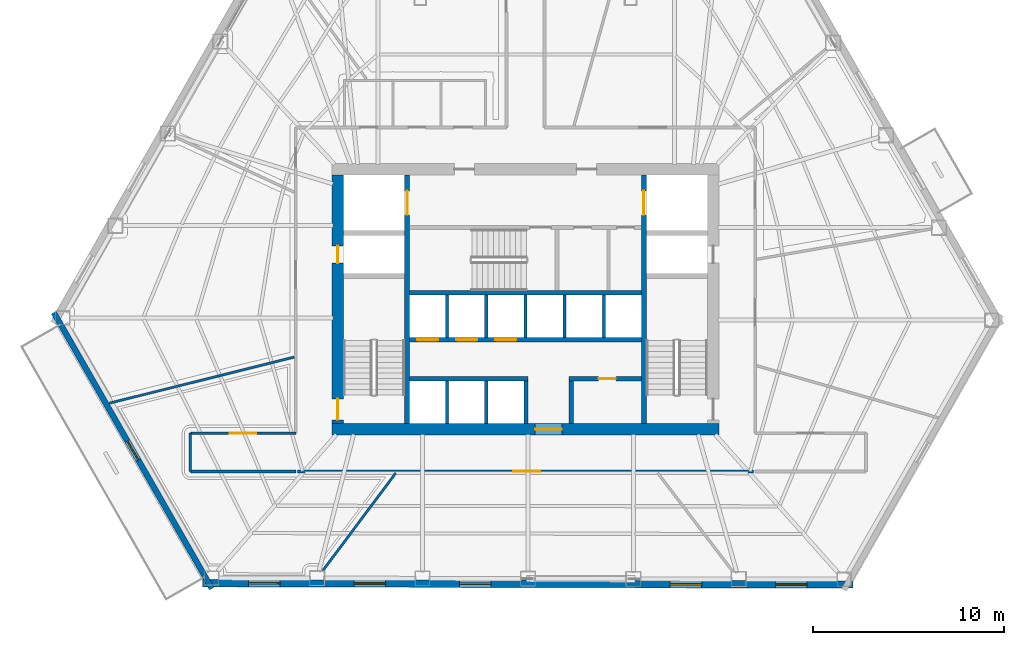
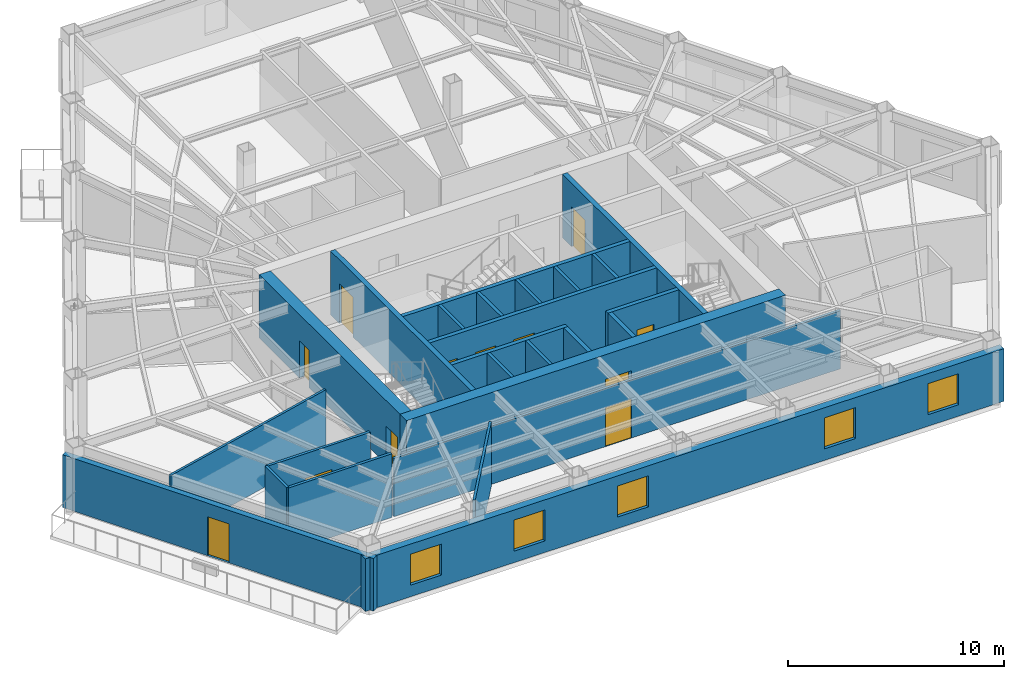
# One storey, part 8 of 14: 25 walls, 12 doors, 5 windows, 17 openings.
"""IFC4 building model written with IfcOpenShell, lengths in metres."""

from ifc_helpers import new_model, si_unit, direction, frame, frame_2d, origin, place, context, subcontext, project, spatial, rectangle, extrude, material, layer, layer_set, type_object, element, fill, save


model = new_model("IFC4")

# Units and contexts
model_context = context("Model", 3, precision=1e-05, world=origin(), true_north=direction((0.0, 1.0)))
body_context = subcontext(model_context, "Body", "Model", "MODEL_VIEW")
ifc_project = project(units=[si_unit("LENGTHUNIT", "METRE"), si_unit("AREAUNIT", "SQUARE_METRE"), si_unit("VOLUMEUNIT", "CUBIC_METRE"), si_unit("PLANEANGLEUNIT", "RADIAN"), si_unit("MASSUNIT", "GRAM", prefix="KILO")], contexts=[model_context])

# Site, building, storey
site_placement = place(None, origin())
site = spatial("IfcSite", under=ifc_project, at=site_placement, CompositionType="ELEMENT")
building_placement = place(site_placement, origin())
building = spatial("IfcBuilding", under=site, at=building_placement, Name="Kavelnor Concourse Tower", CompositionType="ELEMENT")
storey_placement = place(building_placement, frame((0.0, 0.0, 32.949951171875)))
storey = spatial("IfcBuildingStorey", under=building, at=storey_placement, Name="L08", CompositionType="ELEMENT", Elevation=32.949951171875)

# Wall, opening, door
ifc_material_1 = material(Name="Concrete C60/75", Category="concrete")
ifc_layer_1 = layer(ifc_material_1, 0.60009765625, Name="Concrete C60/75")
ifc_layer_set_1 = layer_set([ifc_layer_1], Name="Concrete C60/75")
wall_type_1 = type_object("IfcWallType", Name="WL-CORE-Z1-600", PredefinedType="SOLIDWALL", material=ifc_layer_set_1)
wall_1_placement = place(storey_placement, frame((27.8798828125, 9.300048828125, 0.0), z_axis=(0.0, 0.0, 1.0), x_axis=(1.0, 0.0, 0.0)))
wall_1 = element("IfcWall", 1, at=wall_1_placement, inside=storey, type_object=wall_type_1, Name="L08 Central Core South Shear Wall", PredefinedType="SOLIDWALL", context=body_context, shape_type="SweptSolid", body=[
    extrude(rectangle(XDim=20.240234375, YDim=0.60009765625, at=frame_2d((10.1201171875, 0.0))), origin(), (0.0, 0.0, 1.0), 3.590087890625),
])
opening_1_placement = place(wall_1_placement, frame((10.6201171875, 0.0, 0.0)))
opening_1 = element("IfcOpeningElement", 2, at=opening_1_placement, cuts=wall_1, Name="Opening SD-140", PredefinedType="OPENING", context=body_context, shape_type="SweptSolid", body=[
    extrude(rectangle(XDim=1.39990234375, YDim=2.199951171875, at=frame_2d((0.699951171875, 1.10009765625))), frame((0.0, 0.31005859375, 0.0), z_axis=(0.0, -1.0, 0.0), x_axis=(1.0, 0.0, 0.0)), (0.0, 0.0, 1.0), 0.6201171875),
])
ifc_material_2 = material(Name="Solid-core hardwood timber", Category="wood")
door_type_1 = type_object("IfcDoorType", Name="DR-SUITE-ENTRY-1400", OperationType="NOTDEFINED", PredefinedType="DOOR", material=ifc_material_2)
door_1_placement = place(opening_1_placement, origin())
door_1 = element("IfcDoor", 3, at=door_1_placement, inside=storey, type_object=door_type_1, Name="L08 Passenger Lift Lobby Entry Door", OperationType="SINGLE_SWING_LEFT", OverallHeight=2.199951171875, OverallWidth=1.39990234375, PredefinedType="DOOR", context=body_context, shape_type="SweptSolid", body=[
    extrude(rectangle(XDim=1.39990234375, YDim=2.199951171875, at=frame_2d((0.699951171875, 1.10009765625))), frame((0.0, 0.02490234375, 0.0), z_axis=(0.0, -1.0, 0.0), x_axis=(1.0, 0.0, 0.0)), (0.0, 0.0, 1.0), 0.050048828125),
])
fill(opening_1, door_1)

# Wall, openings, doors
wall_2_placement = place(storey_placement, frame((28.179931640625, 9.60009765625, 0.0), z_axis=(0.0, 0.0, 1.0), x_axis=(0.0, 1.0, 0.0)))
wall_2 = element("IfcWall", 4, at=wall_2_placement, inside=storey, type_object=wall_type_1, Name="L08 Central Core West Shear Wall", PredefinedType="SOLIDWALL", context=body_context, shape_type="SweptSolid", body=[
    extrude(rectangle(XDim=13.0, YDim=0.60009765625, at=frame_2d((6.5, 0.0))), origin(), (0.0, 0.0, 1.0), 3.590087890625),
])
opening_2_placement = place(wall_2_placement, frame((0.199951171875, 0.0, 0.0)))
opening_2 = element("IfcOpeningElement", 5, at=opening_2_placement, cuts=wall_2, Name="Opening FD-110", PredefinedType="OPENING", context=body_context, shape_type="SweptSolid", body=[
    extrude(rectangle(XDim=1.10009765625, YDim=2.14990234375, at=frame_2d((0.550048828125, 1.074951171875))), frame((0.0, 0.31005859375, 0.0), z_axis=(0.0, -1.0, 0.0), x_axis=(1.0, 0.0, 0.0)), (0.0, 0.0, 1.0), 0.6201171875),
])
opening_3_placement = place(wall_2_placement, frame((8.39990234375, 0.0, 0.0)))
opening_3 = element("IfcOpeningElement", 6, at=opening_3_placement, cuts=wall_2, Name="Opening FD-090", PredefinedType="OPENING", context=body_context, shape_type="SweptSolid", body=[
    extrude(rectangle(XDim=0.89990234375, YDim=2.10009765625, at=frame_2d((0.449951171875, 1.050048828125))), frame((0.0, 0.31005859375, 0.0), z_axis=(0.0, -1.0, 0.0), x_axis=(1.0, 0.0, 0.0)), (0.0, 0.0, 1.0), 0.6201171875),
])
ifc_material_3 = material(Name="Steel Grade 350", Category="steel")
door_type_2 = type_object("IfcDoorType", Name="DR-RISER-FIRE-900", OperationType="NOTDEFINED", PredefinedType="DOOR", material=ifc_material_3)
door_2_placement = place(opening_3_placement, origin())
door_2 = element("IfcDoor", 7, at=door_2_placement, inside=storey, type_object=door_type_2, Name="L08 West Riser Access Door", OperationType="SINGLE_SWING_RIGHT", OverallHeight=2.10009765625, OverallWidth=0.89990234375, PredefinedType="DOOR", context=body_context, shape_type="SweptSolid", body=[
    extrude(rectangle(XDim=0.89990234375, YDim=2.10009765625, at=frame_2d((0.449951171875, 1.050048828125))), frame((0.0, 0.02490234375, 0.0), z_axis=(0.0, -1.0, 0.0), x_axis=(1.0, 0.0, 0.0)), (0.0, 0.0, 1.0), 0.050048828125),
])
fill(opening_3, door_2)
door_type_3 = type_object("IfcDoorType", Name="DR-STAIR-FIRE-1100", OperationType="NOTDEFINED", PredefinedType="DOOR", material=ifc_material_3)
door_3_placement = place(opening_2_placement, origin())
door_3 = element("IfcDoor", 8, at=door_3_placement, inside=storey, type_object=door_type_3, Name="L08 Stair ST1 Fire Door", OperationType="SINGLE_SWING_LEFT", OverallHeight=2.14990234375, OverallWidth=1.10009765625, PredefinedType="DOOR", context=body_context, shape_type="SweptSolid", body=[
    extrude(rectangle(XDim=1.10009765625, YDim=2.14990234375, at=frame_2d((0.550048828125, 1.074951171875))), frame((0.0, 0.02490234375, 0.0), z_axis=(0.0, -1.0, 0.0), x_axis=(1.0, 0.0, 0.0)), (0.0, 0.0, 1.0), 0.050048828125),
])
fill(opening_2, door_3)

# Wall, opening, door
ifc_material_4 = material(Name="Buff ironspot clay face brick masonry", Category="masonry")
ifc_layer_2 = layer(ifc_material_4, 0.300048828125, Name="Buff ironspot clay face brick masonry")
ifc_layer_set_2 = layer_set([ifc_layer_2], Name="Buff ironspot clay face brick masonry")
wall_type_2 = type_object("IfcWallType", Name="WL-EXT-BUFF-BRICK-FOLD-300", PredefinedType="STANDARD", material=ifc_layer_set_2)
wall_3_placement = place(storey_placement, frame((21.587158203125, 0.974853515625, 0.0), z_axis=(0.0, 0.0, 1.0), x_axis=(-0.496963642145, 0.867771362967, 0.0)))
wall_3 = element("IfcWall", 9, at=wall_3_placement, inside=storey, type_object=wall_type_2, Name="L08 Exterior Brick Facade Wall E2", PredefinedType="STANDARD", context=body_context, shape_type="SweptSolid", body=[
    extrude(rectangle(XDim=16.63720703125, YDim=0.300048828125, at=frame_2d((8.318603515625, 0.0))), origin(), (0.0, 0.0, 1.0), 2.969970703125),
])
opening_4_placement = place(wall_3_placement, frame((7.743408203125, 0.0, 0.0)))
opening_4 = element("IfcOpeningElement", 10, at=opening_4_placement, cuts=wall_3, Name="Opening TD-115", PredefinedType="OPENING", context=body_context, shape_type="SweptSolid", body=[
    extrude(rectangle(XDim=1.14990234375, YDim=2.199951171875, at=frame_2d((0.574951171875, 1.10009765625))), frame((0.0, 0.16015625, 0.0), z_axis=(0.0, -1.0, 0.0), x_axis=(1.0, 0.0, 0.0)), (0.0, 0.0, 1.0), 0.320068359375),
])
ifc_material_5 = material(Name="Anodised aluminium 6063-T6", Category="aluminium")
door_type_4 = type_object("IfcDoorType", Name="DR-TERRACE-EXT-1150", OperationType="NOTDEFINED", PredefinedType="DOOR", material=ifc_material_5)
door_4_placement = place(opening_4_placement, origin())
door_4 = element("IfcDoor", 11, at=door_4_placement, inside=storey, type_object=door_type_4, Name="L08 Spiral Sky Terrace Access Door", OperationType="SINGLE_SWING_LEFT", OverallHeight=2.199951171875, OverallWidth=1.14990234375, PredefinedType="DOOR", context=body_context, shape_type="SweptSolid", body=[
    extrude(rectangle(XDim=1.14990234375, YDim=2.199951171875, at=frame_2d((0.574951171875, 1.10009765625))), frame((0.0, 0.02490234375, 0.0), z_axis=(0.0, -1.0, 0.0), x_axis=(1.0, 0.0, 0.0)), (0.0, 0.0, 1.0), 0.050048828125),
])
fill(opening_4, door_4)

# Wall, openings, windows
ifc_material_6 = material(Name="Red-ochre clay face brick masonry", Category="masonry")
ifc_layer_3 = layer(ifc_material_6, 0.3798828125, Name="Red-ochre clay face brick masonry")
ifc_layer_set_3 = layer_set([ifc_layer_3], Name="Red-ochre clay face brick masonry")
wall_type_3 = type_object("IfcWallType", Name="WL-EXT-RED-BRICK-PIER-380", PredefinedType="STANDARD", material=ifc_layer_set_3)
wall_4_placement = place(storey_placement, frame((55.148681640625, 1.1787109375, 0.0), z_axis=(0.0, 0.0, 1.0), x_axis=(-0.999997528713, 0.002223188878, 0.0)))
wall_4 = element("IfcWall", 12, at=wall_4_placement, inside=storey, type_object=wall_type_3, Name="L08 Exterior Brick Facade Wall E3", PredefinedType="STANDARD", context=body_context, shape_type="SweptSolid", body=[
    extrude(rectangle(XDim=34.042724609375, YDim=0.3798828125, at=frame_2d((17.021484375, 0.0))), origin(), (0.0, 0.0, 1.0), 2.969970703125),
])
opening_5_placement = place(wall_4_placement, frame((29.983154296875, 0.0, 0.64990234375)))
opening_5 = element("IfcOpeningElement", 13, at=opening_5_placement, cuts=wall_4, Name="Opening W-01", PredefinedType="OPENING", context=body_context, shape_type="SweptSolid", body=[
    extrude(rectangle(XDim=1.64990234375, YDim=1.75, at=frame_2d((0.824951171875, 0.875))), frame((0.0, 0.199951171875, 0.0), z_axis=(0.0, -1.0, 0.0), x_axis=(1.0, 0.0, 0.0)), (0.0, 0.0, 1.0), 0.39990234375),
])
opening_6_placement = place(wall_4_placement, frame((24.468994140625, 0.0, 0.64990234375)))
opening_6 = element("IfcOpeningElement", 14, at=opening_6_placement, cuts=wall_4, Name="Opening W-01", PredefinedType="OPENING", context=body_context, shape_type="SweptSolid", body=[
    extrude(rectangle(XDim=1.64990234375, YDim=1.75, at=frame_2d((0.824951171875, 0.875))), frame((0.0, 0.199951171875, 0.0), z_axis=(0.0, -1.0, 0.0), x_axis=(1.0, 0.0, 0.0)), (0.0, 0.0, 1.0), 0.39990234375),
])
opening_7_placement = place(wall_4_placement, frame((18.95458984375, 0.0, 0.64990234375)))
opening_7 = element("IfcOpeningElement", 15, at=opening_7_placement, cuts=wall_4, Name="Opening W-01", PredefinedType="OPENING", context=body_context, shape_type="SweptSolid", body=[
    extrude(rectangle(XDim=1.64990234375, YDim=1.75, at=frame_2d((0.824951171875, 0.875))), frame((0.0, 0.199951171875, 0.0), z_axis=(0.0, -1.0, 0.0), x_axis=(1.0, 0.0, 0.0)), (0.0, 0.0, 1.0), 0.39990234375),
])
opening_8_placement = place(wall_4_placement, frame((7.926025390625, 0.0, 0.64990234375)))
opening_8 = element("IfcOpeningElement", 16, at=opening_8_placement, cuts=wall_4, Name="Opening W-01", PredefinedType="OPENING", context=body_context, shape_type="SweptSolid", body=[
    extrude(rectangle(XDim=1.64990234375, YDim=1.75, at=frame_2d((0.824951171875, 0.875))), frame((0.0, 0.199951171875, 0.0), z_axis=(0.0, -1.0, 0.0), x_axis=(1.0, 0.0, 0.0)), (0.0, 0.0, 1.0), 0.39990234375),
])
opening_9_placement = place(wall_4_placement, frame((2.411865234375, 0.0, 0.64990234375)))
opening_9 = element("IfcOpeningElement", 17, at=opening_9_placement, cuts=wall_4, Name="Opening W-01", PredefinedType="OPENING", context=body_context, shape_type="SweptSolid", body=[
    extrude(rectangle(XDim=1.64990234375, YDim=1.75, at=frame_2d((0.824951171875, 0.875))), frame((0.0, 0.199951171875, 0.0), z_axis=(0.0, -1.0, 0.0), x_axis=(1.0, 0.0, 0.0)), (0.0, 0.0, 1.0), 0.39990234375),
])
ifc_material_7 = material(Name="Double low-E argon insulated glazing", Category="glass")
window_type = type_object("IfcWindowType", Name="WIN-PIER-Z1-1800", PartitioningType="SINGLE_PANEL", PredefinedType="WINDOW", material=ifc_material_7)
window_1_placement = place(opening_5_placement, origin())
window_1 = element("IfcWindow", 18, at=window_1_placement, inside=storey, type_object=window_type, Name="L08 Deep-Set Brick Pier Window F1-B0", OverallHeight=1.75, OverallWidth=1.64990234375, PartitioningType="SINGLE_PANEL", PredefinedType="WINDOW", context=body_context, shape_type="SweptSolid", body=[
    extrude(rectangle(XDim=1.64990234375, YDim=1.75, at=frame_2d((0.824951171875, 0.875))), frame((0.0, 0.030029296875, 0.0), z_axis=(0.0, -1.0, 0.0), x_axis=(1.0, 0.0, 0.0)), (0.0, 0.0, 1.0), 0.06005859375),
])
fill(opening_5, window_1)
window_2_placement = place(opening_6_placement, origin())
window_2 = element("IfcWindow", 19, at=window_2_placement, inside=storey, type_object=window_type, Name="L08 Deep-Set Brick Pier Window F1-B1", OverallHeight=1.75, OverallWidth=1.64990234375, PartitioningType="SINGLE_PANEL", PredefinedType="WINDOW", context=body_context, shape_type="SweptSolid", body=[
    extrude(rectangle(XDim=1.64990234375, YDim=1.75, at=frame_2d((0.824951171875, 0.875))), frame((0.0, 0.030029296875, 0.0), z_axis=(0.0, -1.0, 0.0), x_axis=(1.0, 0.0, 0.0)), (0.0, 0.0, 1.0), 0.06005859375),
])
fill(opening_6, window_2)
window_3_placement = place(opening_7_placement, origin())
window_3 = element("IfcWindow", 20, at=window_3_placement, inside=storey, type_object=window_type, Name="L08 Deep-Set Brick Pier Window F1-B2", OverallHeight=1.75, OverallWidth=1.64990234375, PartitioningType="SINGLE_PANEL", PredefinedType="WINDOW", context=body_context, shape_type="SweptSolid", body=[
    extrude(rectangle(XDim=1.64990234375, YDim=1.75, at=frame_2d((0.824951171875, 0.875))), frame((0.0, 0.030029296875, 0.0), z_axis=(0.0, -1.0, 0.0), x_axis=(1.0, 0.0, 0.0)), (0.0, 0.0, 1.0), 0.06005859375),
])
fill(opening_7, window_3)
window_4_placement = place(opening_8_placement, origin())
window_4 = element("IfcWindow", 21, at=window_4_placement, inside=storey, type_object=window_type, Name="L08 Deep-Set Brick Pier Window F1-B4", OverallHeight=1.75, OverallWidth=1.64990234375, PartitioningType="SINGLE_PANEL", PredefinedType="WINDOW", context=body_context, shape_type="SweptSolid", body=[
    extrude(rectangle(XDim=1.64990234375, YDim=1.75, at=frame_2d((0.824951171875, 0.875))), frame((0.0, 0.030029296875, 0.0), z_axis=(0.0, -1.0, 0.0), x_axis=(1.0, 0.0, 0.0)), (0.0, 0.0, 1.0), 0.06005859375),
])
fill(opening_8, window_4)
window_5_placement = place(opening_9_placement, origin())
window_5 = element("IfcWindow", 22, at=window_5_placement, inside=storey, type_object=window_type, Name="L08 Deep-Set Brick Pier Window F1-B5", OverallHeight=1.75, OverallWidth=1.64990234375, PartitioningType="SINGLE_PANEL", PredefinedType="WINDOW", context=body_context, shape_type="SweptSolid", body=[
    extrude(rectangle(XDim=1.64990234375, YDim=1.75, at=frame_2d((0.824951171875, 0.875))), frame((0.0, 0.030029296875, 0.0), z_axis=(0.0, -1.0, 0.0), x_axis=(1.0, 0.0, 0.0)), (0.0, 0.0, 1.0), 0.06005859375),
])
fill(opening_9, window_5)

# Wall, opening, door
ifc_material_8 = material(Name="Gypsum plasterboard on light-gauge steel studs", Category="steel")
ifc_layer_4 = layer(ifc_material_8, 0.14501953125, Name="Gypsum plasterboard on light-gauge steel studs")
ifc_layer_set_4 = layer_set([ifc_layer_4], Name="Gypsum plasterboard on light-gauge steel studs")
wall_type_4 = type_object("IfcWallType", Name="WL-INT-CORR-145", PredefinedType="PARTITIONING", material=ifc_layer_set_4)
wall_5_placement = place(storey_placement, frame((20.460205078125, 9.10009765625, 0.0), z_axis=(0.0, 0.0, 1.0), x_axis=(1.0, 0.0, 0.0)))
wall_5 = element("IfcWall", 23, at=wall_5_placement, inside=storey, type_object=wall_type_4, Name="L08 Corridor Wall WL-L08-CR-01", PredefinedType="PARTITIONING", context=body_context, shape_type="SweptSolid", body=[
    extrude(rectangle(XDim=5.519775390625, YDim=0.14501953125, at=frame_2d((2.759765625, 0.0))), origin(), (0.0, 0.0, 1.0), 3.590087890625),
])
opening_10_placement = place(wall_5_placement, frame((2.059814453125, 0.0, 0.0)))
opening_10 = element("IfcOpeningElement", 24, at=opening_10_placement, cuts=wall_5, Name="Opening SD-140", PredefinedType="OPENING", context=body_context, shape_type="SweptSolid", body=[
    extrude(rectangle(XDim=1.39990234375, YDim=2.199951171875, at=frame_2d((0.699951171875, 1.10009765625))), frame((0.0, 0.08251953125, 0.0), z_axis=(0.0, -1.0, 0.0), x_axis=(1.0, 0.0, 0.0)), (0.0, 0.0, 1.0), 0.1650390625),
])
door_5_placement = place(opening_10_placement, origin())
door_5 = element("IfcDoor", 25, at=door_5_placement, inside=storey, type_object=door_type_1, Name="L08 Technical Reference Library 06 Door", OperationType="SINGLE_SWING_LEFT", OverallHeight=2.199951171875, OverallWidth=1.39990234375, PredefinedType="DOOR", context=body_context, shape_type="SweptSolid", body=[
    extrude(rectangle(XDim=1.39990234375, YDim=2.199951171875, at=frame_2d((0.699951171875, 1.10009765625))), frame((0.0, 0.02490234375, 0.0), z_axis=(0.0, -1.0, 0.0), x_axis=(1.0, 0.0, 0.0)), (0.0, 0.0, 1.0), 0.050048828125),
])
fill(opening_10, door_5)

wall_6_placement = place(storey_placement, frame((49.919921875, 7.10009765625, 0.0), z_axis=(0.0, 0.0, 1.0), x_axis=(-1.0, 0.0, 0.0)))
wall_6 = element("IfcWall", 26, at=wall_6_placement, inside=storey, type_object=wall_type_4, Name="L08 Corridor Wall WL-L08-CR-12", PredefinedType="PARTITIONING", context=body_context, shape_type="SweptSolid", body=[
    extrude(rectangle(XDim=23.83984375, YDim=0.14501953125, at=frame_2d((11.919921875, 0.0))), origin(), (0.0, 0.0, 1.0), 3.278076171875),
])
opening_11_placement = place(wall_6_placement, frame((11.15380859375, 0.0, 0.0)))
opening_11 = element("IfcOpeningElement", 27, at=opening_11_placement, cuts=wall_6, Name="Opening SD-140", PredefinedType="OPENING", context=body_context, shape_type="SweptSolid", body=[
    extrude(rectangle(XDim=1.39990234375, YDim=2.199951171875, at=frame_2d((0.699951171875, 1.10009765625))), frame((0.0, 0.08251953125, 0.0), z_axis=(0.0, -1.0, 0.0), x_axis=(1.0, 0.0, 0.0)), (0.0, 0.0, 1.0), 0.1650390625),
])
door_6_placement = place(opening_11_placement, origin())
door_6 = element("IfcDoor", 28, at=door_6_placement, inside=storey, type_object=door_type_1, Name="L08 Workplace Open Office 07 Door", OperationType="SINGLE_SWING_RIGHT", OverallHeight=2.199951171875, OverallWidth=1.39990234375, PredefinedType="DOOR", context=body_context, shape_type="SweptSolid", body=[
    extrude(rectangle(XDim=1.39990234375, YDim=2.199951171875, at=frame_2d((0.699951171875, 1.10009765625))), frame((0.0, 0.02490234375, 0.0), z_axis=(0.0, -1.0, 0.0), x_axis=(1.0, 0.0, 0.0)), (0.0, 0.0, 1.0), 0.050048828125),
])
fill(opening_11, door_6)

# Walls
wall_7_placement = place(storey_placement, frame((25.97998046875, 7.10009765625, 0.0), z_axis=(0.0, 0.0, 1.0), x_axis=(-1.0, 0.0, 0.0)))
element("IfcWall", 29, at=wall_7_placement, inside=storey, type_object=wall_type_4, Name="L08 Corridor Wall WL-L08-CR-13", PredefinedType="PARTITIONING", context=body_context, shape_type="SweptSolid", body=[
    extrude(rectangle(XDim=5.519775390625, YDim=0.14501953125, at=frame_2d((2.759765625, 0.0))), origin(), (0.0, 0.0, 1.0), 3.590087890625),
])
wall_8_placement = place(storey_placement, frame((20.460205078125, 7.10009765625, 0.0), z_axis=(0.0, 0.0, 1.0), x_axis=(0.0, 1.0, 0.0)))
element("IfcWall", 30, at=wall_8_placement, inside=storey, type_object=wall_type_4, Name="L08 Corridor Wall WL-L08-CR-14", PredefinedType="PARTITIONING", context=body_context, shape_type="SweptSolid", body=[
    extrude(rectangle(XDim=2.0, YDim=0.14501953125, at=frame_2d((1.0, 0.0))), origin(), (0.0, 0.0, 1.0), 3.590087890625),
])
ifc_layer_5 = layer(ifc_material_8, 0.1650390625, Name="Gypsum plasterboard on light-gauge steel studs")
ifc_layer_set_5 = layer_set([ifc_layer_5], Name="Gypsum plasterboard on light-gauge steel studs")
wall_type_5 = type_object("IfcWallType", Name="WL-INT-FIRE-165", PredefinedType="PARTITIONING", material=ifc_layer_set_5)
for number, where, z_axis, x_axis, name in (
    (31, (33.89990234375, 9.60009765625, 0.0), (0.0, 0.0, 1.0), (0.0, 1.0, 0.0), "L08 Lift Shaft Divider LP7"),
    (32, (35.949951171875, 9.60009765625, 0.0), (0.0, 0.0, 1.0), (0.0, 1.0, 0.0), "L08 Lift Shaft Divider LP8"),
    (33, (33.89990234375, 14.10009765625, 0.0), (0.0, 0.0, 1.0), (0.0, 1.0, 0.0), "L08 Lift Shaft Divider LP1"),
    (34, (35.949951171875, 14.10009765625, 0.0), (0.0, 0.0, 1.0), (0.0, 1.0, 0.0), "L08 Lift Shaft Divider LP2"),
    (35, (38.0, 14.10009765625, 0.0), (0.0, 0.0, 1.0), (0.0, 1.0, 0.0), "L08 Lift Shaft Divider LP3"),
    (36, (40.050048828125, 14.10009765625, 0.0), (0.0, 0.0, 1.0), (0.0, 1.0, 0.0), "L08 Lift Shaft Divider LP4"),
    (37, (42.10009765625, 14.10009765625, 0.0), (0.0, 0.0, 1.0), (0.0, 1.0, 0.0), "L08 Lift Shaft Divider LP5"),
):
    element("IfcWall", number, at=place(storey_placement, frame(where, z_axis=z_axis, x_axis=x_axis)), inside=storey, type_object=wall_type_5, Name=name, PredefinedType="PARTITIONING", context=body_context, shape_type="SweptSolid", body=[
        extrude(rectangle(XDim=2.239990234375, YDim=0.1650390625, at=frame_2d((1.1201171875, 0.0))), origin(), (0.0, 0.0, 1.0), 3.590087890625),
    ])
ifc_layer_6 = layer(ifc_material_8, 0.125, Name="Gypsum plasterboard on light-gauge steel studs")
ifc_layer_set_6 = layer_set([ifc_layer_6], Name="Gypsum plasterboard on light-gauge steel studs")
wall_type_6 = type_object("IfcWallType", Name="WL-INT-SUITE-125", PredefinedType="PARTITIONING", material=ifc_layer_set_6)
wall_9_placement = place(storey_placement, frame((25.8994140625, 13.0830078125, 0.0), z_axis=(0.0, 0.0, 1.0), x_axis=(-0.970296575764, -0.241918488463, 0.0)))
element("IfcWall", 38, at=wall_9_placement, inside=storey, type_object=wall_type_6, Name="L08 Radial Suite Partition 06", PredefinedType="PARTITIONING", context=body_context, shape_type="SweptSolid", body=[
    extrude(rectangle(XDim=9.960693359375, YDim=0.125, at=frame_2d((4.98046875, 0.0))), origin(), (0.0, 0.0, 1.0), 3.590087890625),
])
wall_10_placement = place(storey_placement, frame((31.214599609375, 7.01953125, 0.0), z_axis=(0.0, 0.0, 1.0), x_axis=(-0.598618740795, -0.80103408365, 0.0)))
element("IfcWall", 39, at=wall_10_placement, inside=storey, type_object=wall_type_6, Name="L08 Radial Suite Partition 07", PredefinedType="PARTITIONING", context=body_context, shape_type="SweptSolid", body=[
    extrude(rectangle(XDim=6.3671875, YDim=0.125, at=frame_2d((3.18359375, 0.0))), origin(), (0.0, 0.0, 1.0), 3.590087890625),
])
ifc_material_9 = material(Name="Concrete C50/60", Category="concrete")
ifc_layer_7 = layer(ifc_material_9, 0.219970703125, Name="Concrete C50/60")
ifc_layer_set_7 = layer_set([ifc_layer_7], Name="Concrete C50/60")
wall_type_7 = type_object("IfcWallType", Name="WL-SHAFT-220", PredefinedType="SOLIDWALL", material=ifc_layer_set_7)
wall_11_placement = place(storey_placement, frame((31.93994140625, 16.449951171875, 0.0), z_axis=(0.0, 0.0, 1.0), x_axis=(1.0, 0.0, 0.0)))
element("IfcWall", 40, at=wall_11_placement, inside=storey, type_object=wall_type_7, Name="L08 Stair ST3 South Core Wall", PredefinedType="SOLIDWALL", context=body_context, shape_type="SweptSolid", body=[
    extrude(rectangle(XDim=12.1201171875, YDim=0.219970703125, at=frame_2d((6.06005859375, 0.0))), origin(), (0.0, 0.0, 1.0), 3.590087890625),
])

# Wall, openings, doors
wall_12_placement = place(storey_placement, frame((31.93994140625, 13.989990234375, 0.0), z_axis=(0.0, 0.0, 1.0), x_axis=(1.0, 0.0, 0.0)))
wall_12 = element("IfcWall", 41, at=wall_12_placement, inside=storey, type_object=wall_type_7, Name="L08 North Lift Row Shaft Wall", PredefinedType="SOLIDWALL", context=body_context, shape_type="SweptSolid", body=[
    extrude(rectangle(XDim=12.1201171875, YDim=0.219970703125, at=frame_2d((6.06005859375, 0.0))), origin(), (0.0, 0.0, 1.0), 3.590087890625),
])
opening_12_placement = place(wall_12_placement, frame((0.385009765625, 0.0, 0.0)))
opening_12 = element("IfcOpeningElement", 42, at=opening_12_placement, cuts=wall_12, Name="Opening LD-110", PredefinedType="OPENING", context=body_context, shape_type="SweptSolid", body=[
    extrude(rectangle(XDim=1.10009765625, YDim=2.199951171875, at=frame_2d((0.550048828125, 1.10009765625))), frame((0.0, 0.1201171875, 0.0), z_axis=(0.0, -1.0, 0.0), x_axis=(1.0, 0.0, 0.0)), (0.0, 0.0, 1.0), 0.239990234375),
])
opening_13_placement = place(wall_12_placement, frame((2.43505859375, 0.0, 0.0)))
opening_13 = element("IfcOpeningElement", 43, at=opening_13_placement, cuts=wall_12, Name="Opening LD-110", PredefinedType="OPENING", context=body_context, shape_type="SweptSolid", body=[
    extrude(rectangle(XDim=1.10009765625, YDim=2.199951171875, at=frame_2d((0.550048828125, 1.10009765625))), frame((0.0, 0.1201171875, 0.0), z_axis=(0.0, -1.0, 0.0), x_axis=(1.0, 0.0, 0.0)), (0.0, 0.0, 1.0), 0.239990234375),
])
opening_14_placement = place(wall_12_placement, frame((4.485107421875, 0.0, 0.0)))
opening_14 = element("IfcOpeningElement", 44, at=opening_14_placement, cuts=wall_12, Name="Opening LD-110", PredefinedType="OPENING", context=body_context, shape_type="SweptSolid", body=[
    extrude(rectangle(XDim=1.10009765625, YDim=2.199951171875, at=frame_2d((0.550048828125, 1.10009765625))), frame((0.0, 0.1201171875, 0.0), z_axis=(0.0, -1.0, 0.0), x_axis=(1.0, 0.0, 0.0)), (0.0, 0.0, 1.0), 0.239990234375),
])
door_type_5 = type_object("IfcDoorType", Name="DR-LIFT-SLIDING-1100", OperationType="NOTDEFINED", PredefinedType="DOOR", material=ifc_material_3)
door_7_placement = place(opening_12_placement, origin())
door_7 = element("IfcDoor", 45, at=door_7_placement, inside=storey, type_object=door_type_5, Name="L08 Lift LP1 Landing Door", OperationType="DOUBLE_DOOR_SLIDING", OverallHeight=2.199951171875, OverallWidth=1.10009765625, PredefinedType="DOOR", context=body_context, shape_type="SweptSolid", body=[
    extrude(rectangle(XDim=1.10009765625, YDim=2.199951171875, at=frame_2d((0.550048828125, 1.10009765625))), frame((0.0, 0.02490234375, 0.0), z_axis=(0.0, -1.0, 0.0), x_axis=(1.0, 0.0, 0.0)), (0.0, 0.0, 1.0), 0.050048828125),
])
fill(opening_12, door_7)
door_8_placement = place(opening_13_placement, origin())
door_8 = element("IfcDoor", 46, at=door_8_placement, inside=storey, type_object=door_type_5, Name="L08 Lift LP2 Landing Door", OperationType="DOUBLE_DOOR_SLIDING", OverallHeight=2.199951171875, OverallWidth=1.10009765625, PredefinedType="DOOR", context=body_context, shape_type="SweptSolid", body=[
    extrude(rectangle(XDim=1.10009765625, YDim=2.199951171875, at=frame_2d((0.550048828125, 1.10009765625))), frame((0.0, 0.02490234375, 0.0), z_axis=(0.0, -1.0, 0.0), x_axis=(1.0, 0.0, 0.0)), (0.0, 0.0, 1.0), 0.050048828125),
])
fill(opening_13, door_8)
door_9_placement = place(opening_14_placement, origin())
door_9 = element("IfcDoor", 47, at=door_9_placement, inside=storey, type_object=door_type_5, Name="L08 Lift LP3 Landing Door", OperationType="DOUBLE_DOOR_SLIDING", OverallHeight=2.199951171875, OverallWidth=1.10009765625, PredefinedType="DOOR", context=body_context, shape_type="SweptSolid", body=[
    extrude(rectangle(XDim=1.10009765625, YDim=2.199951171875, at=frame_2d((0.550048828125, 1.10009765625))), frame((0.0, 0.02490234375, 0.0), z_axis=(0.0, -1.0, 0.0), x_axis=(1.0, 0.0, 0.0)), (0.0, 0.0, 1.0), 0.050048828125),
])
fill(opening_14, door_9)

# Wall
wall_13_placement = place(storey_placement, frame((31.93994140625, 11.949951171875, 0.0), z_axis=(0.0, 0.0, 1.0), x_axis=(1.0, 0.0, 0.0)))
element("IfcWall", 48, at=wall_13_placement, inside=storey, type_object=wall_type_7, Name="L08 High-Rise Lift Bank North Wall", PredefinedType="SOLIDWALL", context=body_context, shape_type="SweptSolid", body=[
    extrude(rectangle(XDim=6.18994140625, YDim=0.219970703125, at=frame_2d((3.094970703125, 0.0))), origin(), (0.0, 0.0, 1.0), 3.590087890625),
])

# Wall, opening, door
wall_14_placement = place(storey_placement, frame((40.280029296875, 11.949951171875, 0.0), z_axis=(0.0, 0.0, 1.0), x_axis=(1.0, 0.0, 0.0)))
wall_14 = element("IfcWall", 49, at=wall_14_placement, inside=storey, type_object=wall_type_7, Name="L08 Core South Support North Wall", PredefinedType="SOLIDWALL", context=body_context, shape_type="SweptSolid", body=[
    extrude(rectangle(XDim=3.780029296875, YDim=0.219970703125, at=frame_2d((1.89013671875, 0.0))), origin(), (0.0, 0.0, 1.0), 3.590087890625),
])
opening_15_placement = place(wall_14_placement, frame((1.550048828125, 0.0, 0.0)))
opening_15 = element("IfcOpeningElement", 50, at=opening_15_placement, cuts=wall_14, Name="Opening FD-090", PredefinedType="OPENING", context=body_context, shape_type="SweptSolid", body=[
    extrude(rectangle(XDim=0.89990234375, YDim=2.10009765625, at=frame_2d((0.449951171875, 1.050048828125))), frame((0.0, 0.1201171875, 0.0), z_axis=(0.0, -1.0, 0.0), x_axis=(1.0, 0.0, 0.0)), (0.0, 0.0, 1.0), 0.239990234375),
])
door_10_placement = place(opening_15_placement, origin())
door_10 = element("IfcDoor", 51, at=door_10_placement, inside=storey, type_object=door_type_2, Name="L08 Core Utility Store Door", OperationType="SINGLE_SWING_LEFT", OverallHeight=2.10009765625, OverallWidth=0.89990234375, PredefinedType="DOOR", context=body_context, shape_type="SweptSolid", body=[
    extrude(rectangle(XDim=0.89990234375, YDim=2.10009765625, at=frame_2d((0.449951171875, 1.050048828125))), frame((0.0, 0.02490234375, 0.0), z_axis=(0.0, -1.0, 0.0), x_axis=(1.0, 0.0, 0.0)), (0.0, 0.0, 1.0), 0.050048828125),
])
fill(opening_15, door_10)

# Walls
for number, where, z_axis, x_axis, name in (
    (52, (38.02001953125, 9.60009765625, 0.0), (0.0, 0.0, 1.0), (0.0, 1.0, 0.0), "L08 Lift Lobby Throat West Wall"),
    (53, (40.389892578125, 9.60009765625, 0.0), (0.0, 0.0, 1.0), (0.0, 1.0, 0.0), "L08 Lift Lobby Throat East Wall"),
):
    element("IfcWall", number, at=place(storey_placement, frame(where, z_axis=z_axis, x_axis=x_axis)), inside=storey, type_object=wall_type_7, Name=name, PredefinedType="SOLIDWALL", context=body_context, shape_type="SweptSolid", body=[
        extrude(rectangle(XDim=2.239990234375, YDim=0.219970703125, at=frame_2d((1.1201171875, 0.0))), origin(), (0.0, 0.0, 1.0), 3.590087890625),
    ])

# Wall, opening, door
ifc_layer_8 = layer(ifc_material_9, 0.260009765625, Name="Concrete C50/60")
ifc_layer_set_8 = layer_set([ifc_layer_8], Name="Concrete C50/60")
wall_type_8 = type_object("IfcWallType", Name="WL-SHAFT-260", PredefinedType="SHEAR", material=ifc_layer_set_8)
wall_15_placement = place(storey_placement, frame((31.81005859375, 9.60009765625, 0.0), z_axis=(0.0, 0.0, 1.0), x_axis=(0.0, 1.0, 0.0)))
wall_15 = element("IfcWall", 54, at=wall_15_placement, inside=storey, type_object=wall_type_8, Name="L08 Core West Wing Shear Wall", PredefinedType="SHEAR", context=body_context, shape_type="SweptSolid", body=[
    extrude(rectangle(XDim=13.0, YDim=0.260009765625, at=frame_2d((6.5, 0.0))), origin(), (0.0, 0.0, 1.0), 3.590087890625),
])
opening_16_placement = place(wall_15_placement, frame((10.925048828125, 0.0, 0.0)))
opening_16 = element("IfcOpeningElement", 55, at=opening_16_placement, cuts=wall_15, Name="Opening LD-125", PredefinedType="OPENING", context=body_context, shape_type="SweptSolid", body=[
    extrude(rectangle(XDim=1.25, YDim=2.25, at=frame_2d((0.625, 1.125))), frame((0.0, 0.14013671875, 0.0), z_axis=(0.0, -1.0, 0.0), x_axis=(1.0, 0.0, 0.0)), (0.0, 0.0, 1.0), 0.280029296875),
])
door_type_6 = type_object("IfcDoorType", Name="DR-LIFT-SLIDING-1250", OperationType="NOTDEFINED", PredefinedType="DOOR", material=ifc_material_3)
door_11_placement = place(opening_16_placement, origin())
door_11 = element("IfcDoor", 56, at=door_11_placement, inside=storey, type_object=door_type_6, Name="L08 Emergency Lift FL1 Landing Door", OperationType="DOUBLE_DOOR_SLIDING", OverallHeight=2.25, OverallWidth=1.25, PredefinedType="DOOR", context=body_context, shape_type="SweptSolid", body=[
    extrude(rectangle(XDim=1.25, YDim=2.25, at=frame_2d((0.625, 1.125))), frame((0.0, 0.02490234375, 0.0), z_axis=(0.0, -1.0, 0.0), x_axis=(1.0, 0.0, 0.0)), (0.0, 0.0, 1.0), 0.050048828125),
])
fill(opening_16, door_11)

wall_16_placement = place(storey_placement, frame((44.18994140625, 9.60009765625, 0.0), z_axis=(0.0, 0.0, 1.0), x_axis=(0.0, 1.0, 0.0)))
wall_16 = element("IfcWall", 57, at=wall_16_placement, inside=storey, type_object=wall_type_8, Name="L08 Core East Wing Shear Wall", PredefinedType="SHEAR", context=body_context, shape_type="SweptSolid", body=[
    extrude(rectangle(XDim=13.0, YDim=0.260009765625, at=frame_2d((6.5, 0.0))), origin(), (0.0, 0.0, 1.0), 3.590087890625),
])
opening_17_placement = place(wall_16_placement, frame((10.925048828125, 0.0, 0.0)))
opening_17 = element("IfcOpeningElement", 58, at=opening_17_placement, cuts=wall_16, Name="Opening LD-125", PredefinedType="OPENING", context=body_context, shape_type="SweptSolid", body=[
    extrude(rectangle(XDim=1.25, YDim=2.25, at=frame_2d((0.625, 1.125))), frame((0.0, 0.14013671875, 0.0), z_axis=(0.0, -1.0, 0.0), x_axis=(1.0, 0.0, 0.0)), (0.0, 0.0, 1.0), 0.280029296875),
])
door_12_placement = place(opening_17_placement, origin())
door_12 = element("IfcDoor", 59, at=door_12_placement, inside=storey, type_object=door_type_6, Name="L08 Emergency Lift FL2 Landing Door", OperationType="DOUBLE_DOOR_SLIDING", OverallHeight=2.25, OverallWidth=1.25, PredefinedType="DOOR", context=body_context, shape_type="SweptSolid", body=[
    extrude(rectangle(XDim=1.25, YDim=2.25, at=frame_2d((0.625, 1.125))), frame((0.0, 0.02490234375, 0.0), z_axis=(0.0, -1.0, 0.0), x_axis=(1.0, 0.0, 0.0)), (0.0, 0.0, 1.0), 0.050048828125),
])
fill(opening_17, door_12)

save(model, "model.ifc")
